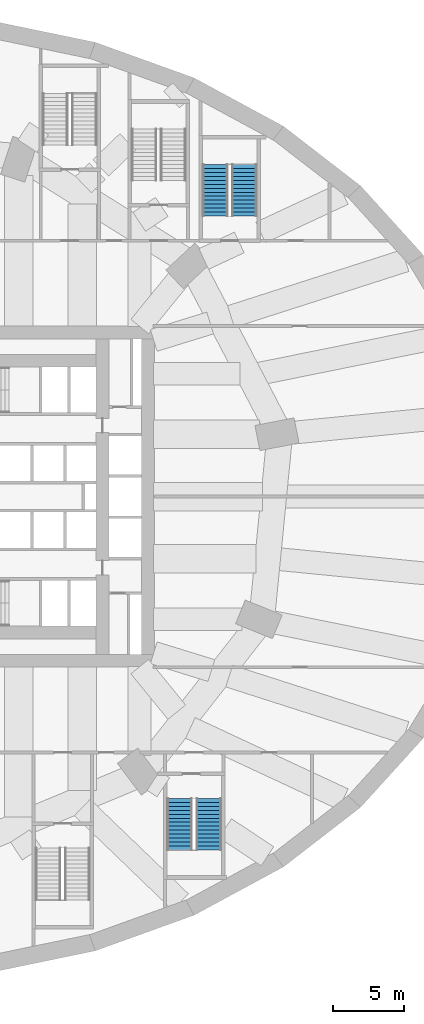
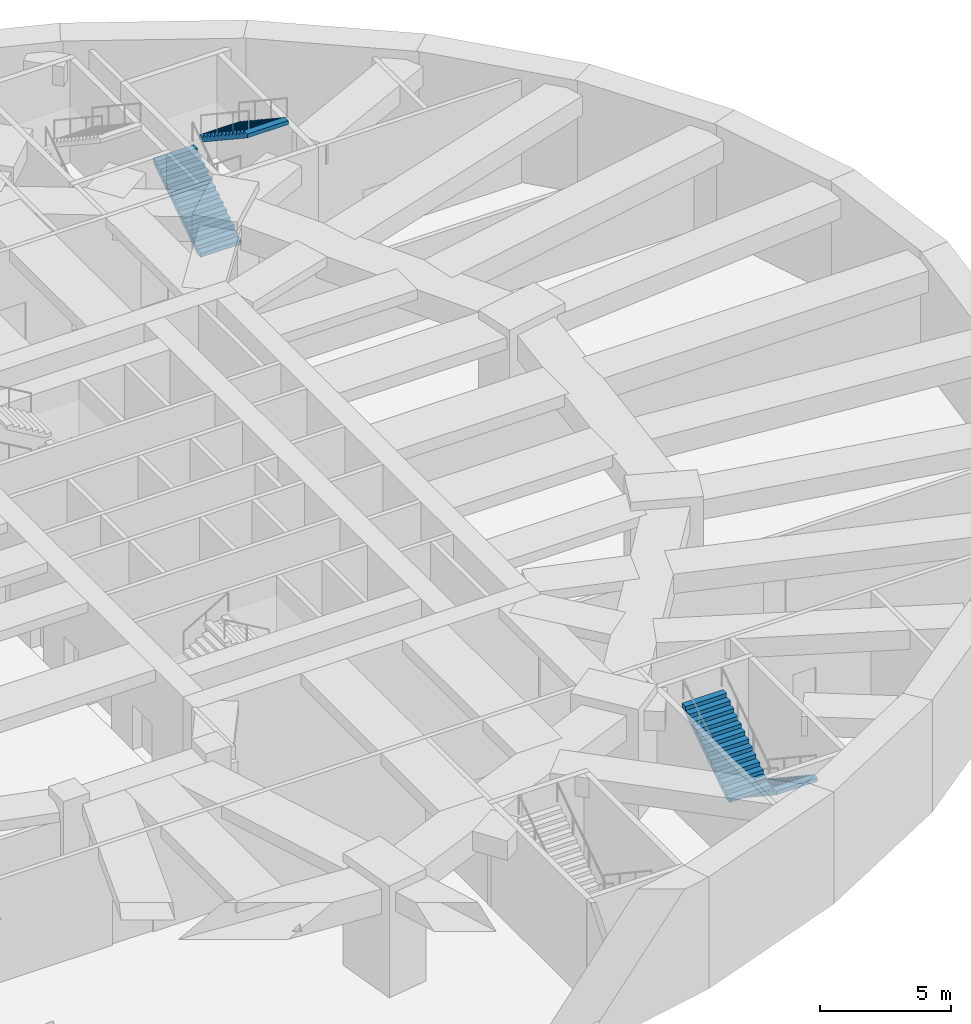
# One storey, part 11 of 14: 4 stair flights, 2 elements without a shape of their own.
"""IFC4 building model written with IfcOpenShell, lengths in metres."""

from ifc_helpers import new_model, si_unit, direction, frame, origin, place, context, subcontext, project, spatial, polyline, outline, extrude, material, type_object, element, aggregate, save


model = new_model("IFC4")

# Units and contexts
model_context = context("Model", 3, precision=1e-05, world=origin(), true_north=direction((0.0, 1.0)))
body_context = subcontext(model_context, "Body", "Model", "MODEL_VIEW")
ifc_project = project(units=[si_unit("LENGTHUNIT", "METRE"), si_unit("AREAUNIT", "SQUARE_METRE"), si_unit("VOLUMEUNIT", "CUBIC_METRE"), si_unit("PLANEANGLEUNIT", "RADIAN"), si_unit("MASSUNIT", "GRAM", prefix="KILO")], contexts=[model_context])

# Site, building, storey
site_placement = place(None, origin())
site = spatial("IfcSite", under=ifc_project, at=site_placement, CompositionType="ELEMENT")
building_placement = place(site_placement, origin())
building = spatial("IfcBuilding", under=site, at=building_placement, Name="Taillehof Tower", CompositionType="ELEMENT")
storey_placement = place(building_placement, frame((0.0, 0.0, -5.199951171875)))
storey = spatial("IfcBuildingStorey", under=building, at=storey_placement, Name="B1", CompositionType="ELEMENT", Elevation=-5.199951171875)

# Stair, stair flights
ifc_material_1 = material(Name="Concrete C30/37", Category="concrete")
stair_type = type_object("IfcStairType", Name="Escape stair 1800 mm", PredefinedType="HALF_TURN_STAIR", material=ifc_material_1)
stair_1_placement = place(storey_placement, origin())
stair_1 = element("IfcStair", 1, at=stair_1_placement, inside=storey, type_object=stair_type, Name="Escape stair ES4", PredefinedType="HALF_TURN_STAIR")
ifc_material_2 = material(Name="Concrete C30/37", Category="concrete")
stair_flight_type = type_object("IfcStairFlightType", Name="Stair flight 1800 mm", PredefinedType="STRAIGHT", material=ifc_material_2)
stair_flight_1_placement = place(storey_placement, frame((23.02490234375, -21.22509765625, 0.0), z_axis=(0.0, 0.0, 1.0), x_axis=(0.0, -1.0, 0.0)))
stair_flight_1 = element("IfcStairFlight", 2, at=stair_flight_1_placement, type_object=stair_flight_type, Name="ES4 flight 1", NumberOfRisers=14, NumberOfTreads=13, PredefinedType="STRAIGHT", RiserHeight=0.185714286, TreadLength=0.28, context=body_context, shape_type="SweptSolid", body=[
    extrude(outline(polyline([(0.0, 0.0), (0.0, 0.00439453125), (0.0, 0.008544921875), (0.0, 0.012939453125), (0.0, 0.017333984375), (0.0, 0.021484375), (0.0, 0.02587890625), (0.0, 0.0302734375), (0.0, 0.03466796875), (0.0, 0.038818359375), (0.0, 0.043212890625), (0.0, 0.047607421875), (0.0, 0.0517578125), (0.0, 0.05615234375), (0.0, 0.060546875), (0.0, 0.064697265625), (0.0, 0.069091796875), (0.0, 0.073486328125), (0.0, 0.07763671875), (0.0, 0.08203125), (0.0, 0.08642578125), (0.0, 0.090576171875), (0.0, 0.094970703125), (0.0, 0.099365234375), (0.0, 0.103759765625), (0.0, 0.10791015625), (0.0, 0.1123046875), (0.0, 0.11669921875), (0.0, 0.120849609375), (0.0, 0.125244140625), (0.0, 0.129638671875), (0.0, 0.1337890625), (0.0, 0.13818359375), (0.0, 0.142578125), (0.0, 0.146728515625), (0.0, 0.151123046875), (0.0, 0.155517578125), (0.0, 0.159912109375), (0.0, 0.1640625), (0.0, 0.16845703125), (0.0, 0.1728515625), (0.0, 0.177001953125), (0.0, 0.181396484375), (0.0, 0.185791015625), (0.280029296875, 0.185791015625), (0.280029296875, 0.371337890625), (0.56005859375, 0.371337890625), (0.56005859375, 0.55712890625), (0.840087890625, 0.55712890625), (0.840087890625, 0.742919921875), (1.1201171875, 0.742919921875), (1.1201171875, 0.928466796875), (1.39990234375, 0.928466796875), (1.39990234375, 1.1142578125), (1.679931640625, 1.1142578125), (1.679931640625, 1.300048828125), (1.9599609375, 1.300048828125), (1.9599609375, 1.485595703125), (2.239990234375, 1.485595703125), (2.239990234375, 1.67138671875), (2.52001953125, 1.67138671875), (2.52001953125, 1.857177734375), (2.800048828125, 1.857177734375), (2.800048828125, 2.04296875), (3.080078125, 2.04296875), (3.080078125, 2.228515625), (3.360107421875, 2.228515625), (3.360107421875, 2.414306640625), (3.639892578125, 2.414306640625), (3.639892578125, 2.41015625), (3.639892578125, 2.406005859375), (3.639892578125, 2.40185546875), (3.639892578125, 2.3974609375), (3.639892578125, 2.393310546875), (3.639892578125, 2.38916015625), (3.639892578125, 2.385009765625), (3.639892578125, 2.380859375), (3.639892578125, 2.376708984375), (3.639892578125, 2.37255859375), (3.639892578125, 2.3681640625), (3.639892578125, 2.364013671875), (3.639892578125, 2.35986328125), (3.639892578125, 2.355712890625), (3.639892578125, 2.3515625), (3.639892578125, 2.347412109375), (3.639892578125, 2.34326171875), (3.639892578125, 2.3388671875), (3.639892578125, 2.334716796875), (3.639892578125, 2.33056640625), (3.639892578125, 2.326416015625), (3.639892578125, 2.322265625), (3.639892578125, 2.318115234375), (3.639892578125, 2.31396484375), (3.639892578125, 2.309814453125), (3.639892578125, 2.305419921875), (3.639892578125, 2.30126953125), (3.639892578125, 2.297119140625), (3.639892578125, 2.29296875), (3.639892578125, 2.288818359375), (3.639892578125, 2.28466796875), (3.639892578125, 2.280517578125), (3.639892578125, 2.276123046875), (3.639892578125, 2.27197265625), (3.639892578125, 2.267822265625), (3.639892578125, 2.263671875), (3.639892578125, 2.259521484375), (3.639892578125, 2.25537109375), (3.639892578125, 2.251220703125), (3.639892578125, 2.2470703125), (3.639892578125, 2.24267578125), (3.639892578125, 2.238525390625), (3.639892578125, 2.234375), (0.271240234375, 0.0), (0.0, 0.0)])), frame((0.0, 0.89990234375, 0.0), z_axis=(0.0, -1.0, 0.0), x_axis=(1.0, 0.0, 0.0)), (0.0, 0.0, 1.0), 1.8),
])
stair_flight_2_placement = place(storey_placement, frame((20.97509765625, -24.864990234375, 2.599853515625), z_axis=(0.0, 0.0, 1.0), x_axis=(0.0, 1.0, 0.0)))
stair_flight_2 = element("IfcStairFlight", 3, at=stair_flight_2_placement, type_object=stair_flight_type, Name="ES4 flight 2", NumberOfRisers=14, NumberOfTreads=13, PredefinedType="STRAIGHT", RiserHeight=0.185714286, TreadLength=0.28, context=body_context, shape_type="SweptSolid", body=[
    extrude(outline(polyline([(0.0, 0.0), (0.0, 0.00439453125), (0.0, 0.008544921875), (0.0, 0.012939453125), (0.0, 0.017333984375), (0.0, 0.021484375), (0.0, 0.02587890625), (0.0, 0.0302734375), (0.0, 0.03466796875), (0.0, 0.038818359375), (0.0, 0.043212890625), (0.0, 0.047607421875), (0.0, 0.0517578125), (0.0, 0.05615234375), (0.0, 0.060546875), (0.0, 0.064697265625), (0.0, 0.069091796875), (0.0, 0.073486328125), (0.0, 0.07763671875), (0.0, 0.08203125), (0.0, 0.08642578125), (0.0, 0.090576171875), (0.0, 0.094970703125), (0.0, 0.099365234375), (0.0, 0.103759765625), (0.0, 0.10791015625), (0.0, 0.1123046875), (0.0, 0.11669921875), (0.0, 0.120849609375), (0.0, 0.125244140625), (0.0, 0.129638671875), (0.0, 0.1337890625), (0.0, 0.13818359375), (0.0, 0.142578125), (0.0, 0.146728515625), (0.0, 0.151123046875), (0.0, 0.155517578125), (0.0, 0.159912109375), (0.0, 0.1640625), (0.0, 0.16845703125), (0.0, 0.1728515625), (0.0, 0.177001953125), (0.0, 0.181396484375), (0.0, 0.185791015625), (0.280029296875, 0.185791015625), (0.280029296875, 0.371337890625), (0.56005859375, 0.371337890625), (0.56005859375, 0.55712890625), (0.840087890625, 0.55712890625), (0.840087890625, 0.742919921875), (1.1201171875, 0.742919921875), (1.1201171875, 0.928466796875), (1.39990234375, 0.928466796875), (1.39990234375, 1.1142578125), (1.679931640625, 1.1142578125), (1.679931640625, 1.300048828125), (1.9599609375, 1.300048828125), (1.9599609375, 1.485595703125), (2.239990234375, 1.485595703125), (2.239990234375, 1.67138671875), (2.52001953125, 1.67138671875), (2.52001953125, 1.857177734375), (2.800048828125, 1.857177734375), (2.800048828125, 2.04296875), (3.080078125, 2.04296875), (3.080078125, 2.228515625), (3.360107421875, 2.228515625), (3.360107421875, 2.414306640625), (3.639892578125, 2.414306640625), (3.639892578125, 2.41015625), (3.639892578125, 2.406005859375), (3.639892578125, 2.40185546875), (3.639892578125, 2.3974609375), (3.639892578125, 2.393310546875), (3.639892578125, 2.38916015625), (3.639892578125, 2.385009765625), (3.639892578125, 2.380859375), (3.639892578125, 2.376708984375), (3.639892578125, 2.37255859375), (3.639892578125, 2.3681640625), (3.639892578125, 2.364013671875), (3.639892578125, 2.35986328125), (3.639892578125, 2.355712890625), (3.639892578125, 2.3515625), (3.639892578125, 2.347412109375), (3.639892578125, 2.34326171875), (3.639892578125, 2.3388671875), (3.639892578125, 2.334716796875), (3.639892578125, 2.33056640625), (3.639892578125, 2.326416015625), (3.639892578125, 2.322265625), (3.639892578125, 2.318115234375), (3.639892578125, 2.31396484375), (3.639892578125, 2.309814453125), (3.639892578125, 2.305419921875), (3.639892578125, 2.30126953125), (3.639892578125, 2.297119140625), (3.639892578125, 2.29296875), (3.639892578125, 2.288818359375), (3.639892578125, 2.28466796875), (3.639892578125, 2.280517578125), (3.639892578125, 2.276123046875), (3.639892578125, 2.27197265625), (3.639892578125, 2.267822265625), (3.639892578125, 2.263671875), (3.639892578125, 2.259521484375), (3.639892578125, 2.25537109375), (3.639892578125, 2.251220703125), (3.639892578125, 2.2470703125), (3.639892578125, 2.24267578125), (3.639892578125, 2.238525390625), (3.639892578125, 2.234375), (0.271240234375, 0.0), (0.0, 0.0)])), frame((0.0, 0.89990234375, 0.0), z_axis=(0.0, -1.0, 0.0), x_axis=(1.0, 0.0, 0.0)), (0.0, 0.0, 1.0), 1.8),
])
aggregate(stair_1, [stair_flight_1, stair_flight_2])

stair_2_placement = place(storey_placement, origin())
stair_2 = element("IfcStair", 4, at=stair_2_placement, inside=storey, type_object=stair_type, Name="Escape stair ES5", PredefinedType="HALF_TURN_STAIR")
stair_flight_3_placement = place(storey_placement, frame((23.47509765625, 19.72509765625, 0.0), z_axis=(0.0, 0.0, 1.0), x_axis=(0.0, 1.0, 0.0)))
stair_flight_3 = element("IfcStairFlight", 5, at=stair_flight_3_placement, type_object=stair_flight_type, Name="ES5 flight 1", NumberOfRisers=14, NumberOfTreads=13, PredefinedType="STRAIGHT", RiserHeight=0.185714286, TreadLength=0.28, context=body_context, shape_type="SweptSolid", body=[
    extrude(outline(polyline([(0.0, 0.0), (0.0, 0.00439453125), (0.0, 0.008544921875), (0.0, 0.012939453125), (0.0, 0.017333984375), (0.0, 0.021484375), (0.0, 0.02587890625), (0.0, 0.0302734375), (0.0, 0.03466796875), (0.0, 0.038818359375), (0.0, 0.043212890625), (0.0, 0.047607421875), (0.0, 0.0517578125), (0.0, 0.05615234375), (0.0, 0.060546875), (0.0, 0.064697265625), (0.0, 0.069091796875), (0.0, 0.073486328125), (0.0, 0.07763671875), (0.0, 0.08203125), (0.0, 0.08642578125), (0.0, 0.090576171875), (0.0, 0.094970703125), (0.0, 0.099365234375), (0.0, 0.103759765625), (0.0, 0.10791015625), (0.0, 0.1123046875), (0.0, 0.11669921875), (0.0, 0.120849609375), (0.0, 0.125244140625), (0.0, 0.129638671875), (0.0, 0.1337890625), (0.0, 0.13818359375), (0.0, 0.142578125), (0.0, 0.146728515625), (0.0, 0.151123046875), (0.0, 0.155517578125), (0.0, 0.159912109375), (0.0, 0.1640625), (0.0, 0.16845703125), (0.0, 0.1728515625), (0.0, 0.177001953125), (0.0, 0.181396484375), (0.0, 0.185791015625), (0.280029296875, 0.185791015625), (0.280029296875, 0.371337890625), (0.56005859375, 0.371337890625), (0.56005859375, 0.55712890625), (0.840087890625, 0.55712890625), (0.840087890625, 0.742919921875), (1.1201171875, 0.742919921875), (1.1201171875, 0.928466796875), (1.39990234375, 0.928466796875), (1.39990234375, 1.1142578125), (1.679931640625, 1.1142578125), (1.679931640625, 1.300048828125), (1.9599609375, 1.300048828125), (1.9599609375, 1.485595703125), (2.239990234375, 1.485595703125), (2.239990234375, 1.67138671875), (2.52001953125, 1.67138671875), (2.52001953125, 1.857177734375), (2.800048828125, 1.857177734375), (2.800048828125, 2.04296875), (3.080078125, 2.04296875), (3.080078125, 2.228515625), (3.360107421875, 2.228515625), (3.360107421875, 2.414306640625), (3.639892578125, 2.414306640625), (3.639892578125, 2.41015625), (3.639892578125, 2.406005859375), (3.639892578125, 2.40185546875), (3.639892578125, 2.3974609375), (3.639892578125, 2.393310546875), (3.639892578125, 2.38916015625), (3.639892578125, 2.385009765625), (3.639892578125, 2.380859375), (3.639892578125, 2.376708984375), (3.639892578125, 2.37255859375), (3.639892578125, 2.3681640625), (3.639892578125, 2.364013671875), (3.639892578125, 2.35986328125), (3.639892578125, 2.355712890625), (3.639892578125, 2.3515625), (3.639892578125, 2.347412109375), (3.639892578125, 2.34326171875), (3.639892578125, 2.3388671875), (3.639892578125, 2.334716796875), (3.639892578125, 2.33056640625), (3.639892578125, 2.326416015625), (3.639892578125, 2.322265625), (3.639892578125, 2.318115234375), (3.639892578125, 2.31396484375), (3.639892578125, 2.309814453125), (3.639892578125, 2.305419921875), (3.639892578125, 2.30126953125), (3.639892578125, 2.297119140625), (3.639892578125, 2.29296875), (3.639892578125, 2.288818359375), (3.639892578125, 2.28466796875), (3.639892578125, 2.280517578125), (3.639892578125, 2.276123046875), (3.639892578125, 2.27197265625), (3.639892578125, 2.267822265625), (3.639892578125, 2.263671875), (3.639892578125, 2.259521484375), (3.639892578125, 2.25537109375), (3.639892578125, 2.251220703125), (3.639892578125, 2.2470703125), (3.639892578125, 2.24267578125), (3.639892578125, 2.238525390625), (3.639892578125, 2.234375), (0.271240234375, 0.0), (0.0, 0.0)])), frame((0.0, 0.89990234375, 0.0), z_axis=(0.0, -1.0, 0.0), x_axis=(1.0, 0.0, 0.0)), (0.0, 0.0, 1.0), 1.8),
])
stair_flight_4_placement = place(storey_placement, frame((25.52490234375, 23.364990234375, 2.599853515625), z_axis=(0.0, 0.0, 1.0), x_axis=(0.0, -1.0, 0.0)))
stair_flight_4 = element("IfcStairFlight", 6, at=stair_flight_4_placement, type_object=stair_flight_type, Name="ES5 flight 2", NumberOfRisers=14, NumberOfTreads=13, PredefinedType="STRAIGHT", RiserHeight=0.185714286, TreadLength=0.28, context=body_context, shape_type="SweptSolid", body=[
    extrude(outline(polyline([(0.0, 0.0), (0.0, 0.00439453125), (0.0, 0.008544921875), (0.0, 0.012939453125), (0.0, 0.017333984375), (0.0, 0.021484375), (0.0, 0.02587890625), (0.0, 0.0302734375), (0.0, 0.03466796875), (0.0, 0.038818359375), (0.0, 0.043212890625), (0.0, 0.047607421875), (0.0, 0.0517578125), (0.0, 0.05615234375), (0.0, 0.060546875), (0.0, 0.064697265625), (0.0, 0.069091796875), (0.0, 0.073486328125), (0.0, 0.07763671875), (0.0, 0.08203125), (0.0, 0.08642578125), (0.0, 0.090576171875), (0.0, 0.094970703125), (0.0, 0.099365234375), (0.0, 0.103759765625), (0.0, 0.10791015625), (0.0, 0.1123046875), (0.0, 0.11669921875), (0.0, 0.120849609375), (0.0, 0.125244140625), (0.0, 0.129638671875), (0.0, 0.1337890625), (0.0, 0.13818359375), (0.0, 0.142578125), (0.0, 0.146728515625), (0.0, 0.151123046875), (0.0, 0.155517578125), (0.0, 0.159912109375), (0.0, 0.1640625), (0.0, 0.16845703125), (0.0, 0.1728515625), (0.0, 0.177001953125), (0.0, 0.181396484375), (0.0, 0.185791015625), (0.280029296875, 0.185791015625), (0.280029296875, 0.371337890625), (0.56005859375, 0.371337890625), (0.56005859375, 0.55712890625), (0.840087890625, 0.55712890625), (0.840087890625, 0.742919921875), (1.1201171875, 0.742919921875), (1.1201171875, 0.928466796875), (1.39990234375, 0.928466796875), (1.39990234375, 1.1142578125), (1.679931640625, 1.1142578125), (1.679931640625, 1.300048828125), (1.9599609375, 1.300048828125), (1.9599609375, 1.485595703125), (2.239990234375, 1.485595703125), (2.239990234375, 1.67138671875), (2.52001953125, 1.67138671875), (2.52001953125, 1.857177734375), (2.800048828125, 1.857177734375), (2.800048828125, 2.04296875), (3.080078125, 2.04296875), (3.080078125, 2.228515625), (3.360107421875, 2.228515625), (3.360107421875, 2.414306640625), (3.639892578125, 2.414306640625), (3.639892578125, 2.41015625), (3.639892578125, 2.406005859375), (3.639892578125, 2.40185546875), (3.639892578125, 2.3974609375), (3.639892578125, 2.393310546875), (3.639892578125, 2.38916015625), (3.639892578125, 2.385009765625), (3.639892578125, 2.380859375), (3.639892578125, 2.376708984375), (3.639892578125, 2.37255859375), (3.639892578125, 2.3681640625), (3.639892578125, 2.364013671875), (3.639892578125, 2.35986328125), (3.639892578125, 2.355712890625), (3.639892578125, 2.3515625), (3.639892578125, 2.347412109375), (3.639892578125, 2.34326171875), (3.639892578125, 2.3388671875), (3.639892578125, 2.334716796875), (3.639892578125, 2.33056640625), (3.639892578125, 2.326416015625), (3.639892578125, 2.322265625), (3.639892578125, 2.318115234375), (3.639892578125, 2.31396484375), (3.639892578125, 2.309814453125), (3.639892578125, 2.305419921875), (3.639892578125, 2.30126953125), (3.639892578125, 2.297119140625), (3.639892578125, 2.29296875), (3.639892578125, 2.288818359375), (3.639892578125, 2.28466796875), (3.639892578125, 2.280517578125), (3.639892578125, 2.276123046875), (3.639892578125, 2.27197265625), (3.639892578125, 2.267822265625), (3.639892578125, 2.263671875), (3.639892578125, 2.259521484375), (3.639892578125, 2.25537109375), (3.639892578125, 2.251220703125), (3.639892578125, 2.2470703125), (3.639892578125, 2.24267578125), (3.639892578125, 2.238525390625), (3.639892578125, 2.234375), (0.271240234375, 0.0), (0.0, 0.0)])), frame((0.0, 0.89990234375, 0.0), z_axis=(0.0, -1.0, 0.0), x_axis=(1.0, 0.0, 0.0)), (0.0, 0.0, 1.0), 1.8),
])
aggregate(stair_2, [stair_flight_3, stair_flight_4])

save(model, "model.ifc")
